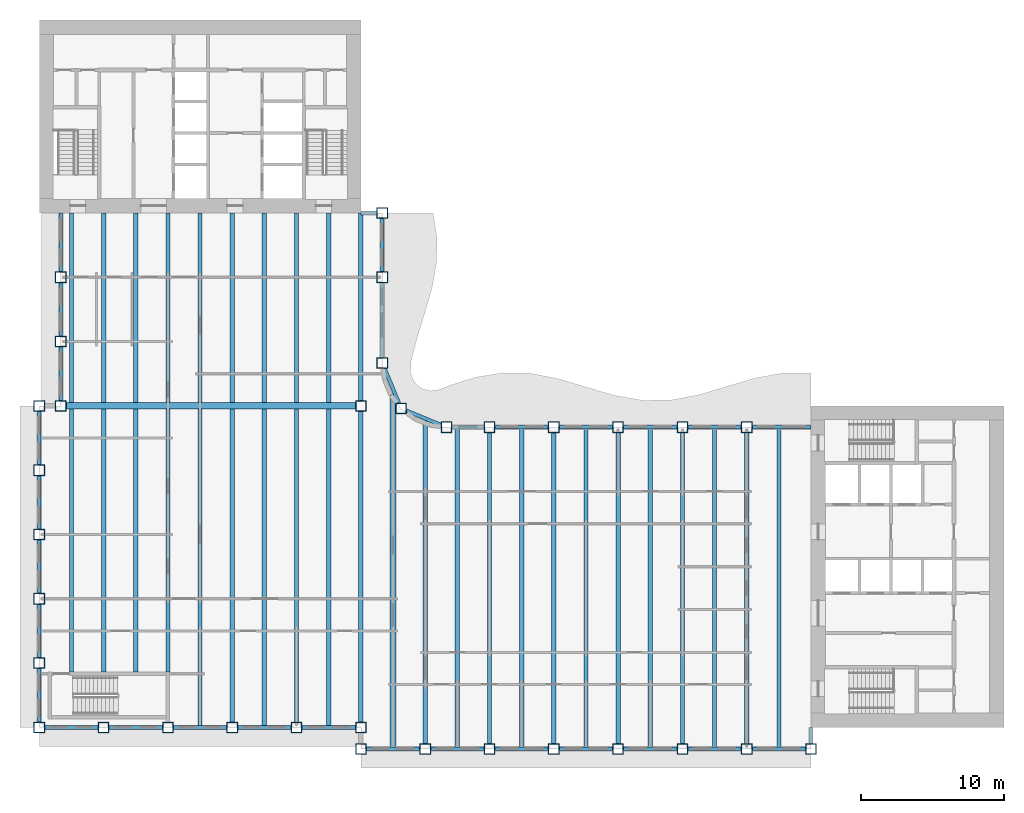
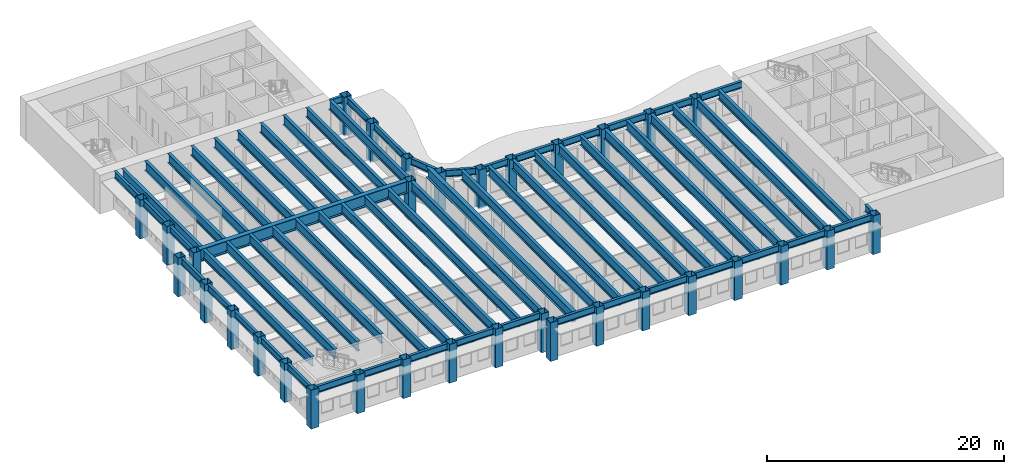
# One storey, part 1 of 16: 66 beams, 33 columns.
"""IFC4 building model written with IfcOpenShell, lengths in metres."""

from ifc_helpers import new_model, si_unit, direction, frame, origin, origin_2d, place, context, subcontext, project, spatial, hollow_rectangle, i_section, extrude, material, material_profile, profile_set, type_object, element, save


model = new_model("IFC4")

# Units and contexts
model_context = context("Model", 3, precision=1e-05, world=origin(), true_north=direction((0.0, 1.0)))
body_context = subcontext(model_context, "Body", "Model", "MODEL_VIEW")
ifc_project = project(units=[si_unit("LENGTHUNIT", "METRE"), si_unit("AREAUNIT", "SQUARE_METRE"), si_unit("VOLUMEUNIT", "CUBIC_METRE"), si_unit("PLANEANGLEUNIT", "RADIAN"), si_unit("MASSUNIT", "GRAM", prefix="KILO")], contexts=[model_context])

# Site, building, storey
site_placement = place(None, origin())
site = spatial("IfcSite", under=ifc_project, at=site_placement, CompositionType="ELEMENT")
building_placement = place(site_placement, origin())
building = spatial("IfcBuilding", under=site, at=building_placement, Name="Sennacour Bend Tower", CompositionType="ELEMENT")
storey_placement = place(building_placement, frame((0.0, 0.0, 223.0)))
storey = spatial("IfcBuildingStorey", under=building, at=storey_placement, Name="L51", CompositionType="ELEMENT", Elevation=223.0)

# Columns
ifc_material_1 = material(Name="Steel ASTM A572 Grade 50", Category="steel")
ifc_material_profile_1 = material_profile(ifc_material_1, hollow_rectangle(XDim=0.75, YDim=0.75, WallThickness=0.035888671875, at=origin_2d()), Name="Steel ASTM A572 Grade 50", Category="steel")
ifc_profile_set_1 = profile_set([ifc_material_profile_1], Name="Steel ASTM A572 Grade 50")
column_type = type_object("IfcColumnType", Name="Box column 750", PredefinedType="COLUMN", material=ifc_profile_set_1)
for number, where, z_axis, x_axis, name in (
    (1, (0.0, 0.0, -0.14990234375), (0.0, 0.0, 1.0), (1.0, 0.0, 0.0), "Perimeter column C4 L51-001"),
    (2, (0.0, 4.5, -0.14990234375), (0.0, 0.0, 1.0), (1.0, 0.0, 0.0), "Perimeter column C4 L51-002"),
    (3, (0.0, 9.0, -0.14990234375), (0.0, 0.0, 1.0), (1.0, 0.0, 0.0), "Perimeter column C4 L51-003"),
    (4, (0.0, 13.5, -0.14990234375), (0.0, 0.0, 1.0), (1.0, 0.0, 0.0), "Perimeter column C4 L51-004"),
    (5, (0.0, 18.0, -0.14990234375), (0.0, 0.0, 1.0), (1.0, 0.0, 0.0), "Perimeter column C4 L51-005"),
    (6, (0.0, 22.5, -0.14990234375), (0.0, 0.0, 1.0), (1.0, 0.0, 0.0), "Perimeter column C4 L51-006"),
    (7, (1.5, 22.5, -0.14990234375), (0.0, 0.0, 1.0), (1.0, 0.0, 0.0), "Perimeter column C4 L51-007"),
    (8, (1.5, 27.0, -0.14990234375), (0.0, 0.0, 1.0), (1.0, 0.0, 0.0), "Perimeter column C4 L51-008"),
    (9, (1.5, 31.5, -0.14990234375), (0.0, 0.0, 1.0), (1.0, 0.0, 0.0), "Perimeter column C4 L51-009"),
    (10, (4.5, 0.0, -0.14990234375), (0.0, 0.0, 1.0), (1.0, 0.0, 0.0), "Perimeter column C4 L51-010"),
    (11, (9.0, 0.0, -0.14990234375), (0.0, 0.0, 1.0), (1.0, 0.0, 0.0), "Perimeter column C4 L51-011"),
    (12, (13.5, 0.0, -0.14990234375), (0.0, 0.0, 1.0), (1.0, 0.0, 0.0), "Perimeter column C4 L51-012"),
    (13, (18.0, 0.0, -0.14990234375), (0.0, 0.0, 1.0), (1.0, 0.0, 0.0), "Perimeter column C4 L51-013"),
    (14, (22.5, -1.5, -0.14990234375), (0.0, 0.0, 1.0), (1.0, 0.0, 0.0), "Perimeter column C4 L51-014"),
    (15, (22.5, 0.0, -0.14990234375), (0.0, 0.0, 1.0), (1.0, 0.0, 0.0), "Perimeter column C4 L51-015"),
    (16, (22.5, 22.5, -0.14990234375), (0.0, 0.0, 1.0), (1.0, 0.0, 0.0), "Knuckle column C4 L51-016"),
    (17, (24.0, 25.5, -0.14990234375), (0.0, 0.0, 1.0), (1.0, 0.0, 0.0), "Perimeter column C4 L51-017"),
    (18, (24.0, 31.5, -0.14990234375), (0.0, 0.0, 1.0), (1.0, 0.0, 0.0), "Perimeter column C4 L51-018"),
    (19, (24.0, 36.0, -0.14990234375), (0.0, 0.0, 1.0), (1.0, 0.0, 0.0), "Perimeter column C4 L51-019"),
    (20, (25.318115234375, 22.318115234375, -0.14990234375), (0.0, 0.0, 1.0), (1.0, 0.0, 0.0), "Perimeter column C4 L51-020"),
    (21, (27.0, -1.5, -0.14990234375), (0.0, 0.0, 1.0), (1.0, 0.0, 0.0), "Perimeter column C4 L51-021"),
    (22, (28.5, 21.0, -0.14990234375), (0.0, 0.0, 1.0), (1.0, 0.0, 0.0), "Perimeter column C4 L51-022"),
    (23, (31.5, -1.5, -0.14990234375), (0.0, 0.0, 1.0), (1.0, 0.0, 0.0), "Perimeter column C4 L51-023"),
    (24, (31.5, 21.0, -0.14990234375), (0.0, 0.0, 1.0), (1.0, 0.0, 0.0), "Perimeter column C4 L51-024"),
    (25, (36.0, -1.5, -0.14990234375), (0.0, 0.0, 1.0), (1.0, 0.0, 0.0), "Perimeter column C4 L51-025"),
    (26, (36.0, 21.0, -0.14990234375), (0.0, 0.0, 1.0), (1.0, 0.0, 0.0), "Perimeter column C4 L51-026"),
    (27, (40.5, -1.5, -0.14990234375), (0.0, 0.0, 1.0), (1.0, 0.0, 0.0), "Perimeter column C4 L51-027"),
    (28, (40.5, 21.0, -0.14990234375), (0.0, 0.0, 1.0), (1.0, 0.0, 0.0), "Perimeter column C4 L51-028"),
    (29, (45.0, -1.5, -0.14990234375), (0.0, 0.0, 1.0), (1.0, 0.0, 0.0), "Perimeter column C4 L51-029"),
    (30, (45.0, 21.0, -0.14990234375), (0.0, 0.0, 1.0), (1.0, 0.0, 0.0), "Perimeter column C4 L51-030"),
    (31, (49.5, -1.5, -0.14990234375), (0.0, 0.0, 1.0), (1.0, 0.0, 0.0), "Perimeter column C4 L51-031"),
    (32, (49.5, 21.0, -0.14990234375), (0.0, 0.0, 1.0), (1.0, 0.0, 0.0), "Perimeter column C4 L51-032"),
    (33, (54.0, -1.5, -0.14990234375), (0.0, 0.0, 1.0), (1.0, 0.0, 0.0), "Perimeter column C4 L51-033"),
):
    element("IfcColumn", number, at=place(storey_placement, frame(where, z_axis=z_axis, x_axis=x_axis)), inside=storey, type_object=column_type, Name=name, PredefinedType="COLUMN", context=body_context, shape_type="SweptSolid", body=[
        extrude(hollow_rectangle(XDim=0.75, YDim=0.75, WallThickness=0.035888671875, at=origin_2d()), origin(), (0.0, 0.0, 1.0), 4.0),
    ])

# Beams
ifc_material_2 = material(Name="Steel ASTM A992 Grade 50", Category="steel")
ifc_material_profile_2 = material_profile(ifc_material_2, i_section(OverallWidth=0.300048828125, OverallDepth=0.97998046875, WebThickness=0.0166015625, FlangeThickness=0.026123046875, FilletRadius=0.02978515625, at=origin_2d()), Name="Steel ASTM A992 Grade 50", Category="steel")
ifc_profile_set_2 = profile_set([ifc_material_profile_2], Name="Steel ASTM A992 Grade 50")
beam_type_1 = type_object("IfcBeamType", Name="Floor beam W1000X249", PredefinedType="BEAM", material=ifc_profile_set_2)
beam_1_placement = place(storey_placement, frame((2.25, 3.875, 3.360107421875), z_axis=(0.0, 1.0, 0.0), x_axis=(-1.0, 0.0, 0.0)))
element("IfcBeam", 34, at=beam_1_placement, inside=storey, type_object=beam_type_1, Name="Floor beam FBM2 L52-001", PredefinedType="BEAM", context=body_context, shape_type="SweptSolid", body=[
    extrude(i_section(OverallWidth=0.300048828125, OverallDepth=0.97998046875, WebThickness=0.0166015625, FlangeThickness=0.026123046875, FilletRadius=0.02978515625, at=origin_2d()), origin(), (0.0, 0.0, 1.0), 18.39990234375),
])
beam_2_placement = place(storey_placement, frame((2.25, 22.72509765625, 3.360107421875), z_axis=(0.0, 1.0, 0.0), x_axis=(-1.0, 0.0, 0.0)))
element("IfcBeam", 35, at=beam_2_placement, inside=storey, type_object=beam_type_1, Name="Floor beam FBM2 L52-002", PredefinedType="BEAM", context=body_context, shape_type="SweptSolid", body=[
    extrude(i_section(OverallWidth=0.300048828125, OverallDepth=0.97998046875, WebThickness=0.0166015625, FlangeThickness=0.026123046875, FilletRadius=0.02978515625, at=origin_2d()), origin(), (0.0, 0.0, 1.0), 13.27490234375),
])
beam_3_placement = place(storey_placement, frame((4.5, 3.875, 3.360107421875), z_axis=(0.0, 1.0, 0.0), x_axis=(-1.0, 0.0, 0.0)))
element("IfcBeam", 36, at=beam_3_placement, inside=storey, type_object=beam_type_1, Name="Floor beam FBM2 L52-003", PredefinedType="BEAM", context=body_context, shape_type="SweptSolid", body=[
    extrude(i_section(OverallWidth=0.300048828125, OverallDepth=0.97998046875, WebThickness=0.0166015625, FlangeThickness=0.026123046875, FilletRadius=0.02978515625, at=origin_2d()), origin(), (0.0, 0.0, 1.0), 18.39990234375),
])
beam_4_placement = place(storey_placement, frame((4.5, 22.72509765625, 3.360107421875), z_axis=(0.0, 1.0, 0.0), x_axis=(-1.0, 0.0, 0.0)))
element("IfcBeam", 37, at=beam_4_placement, inside=storey, type_object=beam_type_1, Name="Floor beam FBM2 L52-004", PredefinedType="BEAM", context=body_context, shape_type="SweptSolid", body=[
    extrude(i_section(OverallWidth=0.300048828125, OverallDepth=0.97998046875, WebThickness=0.0166015625, FlangeThickness=0.026123046875, FilletRadius=0.02978515625, at=origin_2d()), origin(), (0.0, 0.0, 1.0), 13.27490234375),
])
beam_5_placement = place(storey_placement, frame((6.75, 3.875, 3.360107421875), z_axis=(0.0, 1.0, 0.0), x_axis=(-1.0, 0.0, 0.0)))
element("IfcBeam", 38, at=beam_5_placement, inside=storey, type_object=beam_type_1, Name="Floor beam FBM2 L52-005", PredefinedType="BEAM", context=body_context, shape_type="SweptSolid", body=[
    extrude(i_section(OverallWidth=0.300048828125, OverallDepth=0.97998046875, WebThickness=0.0166015625, FlangeThickness=0.026123046875, FilletRadius=0.02978515625, at=origin_2d()), origin(), (0.0, 0.0, 1.0), 18.39990234375),
])
beam_6_placement = place(storey_placement, frame((6.75, 22.72509765625, 3.360107421875), z_axis=(0.0, 1.0, 0.0), x_axis=(-1.0, 0.0, 0.0)))
element("IfcBeam", 39, at=beam_6_placement, inside=storey, type_object=beam_type_1, Name="Floor beam FBM2 L52-006", PredefinedType="BEAM", context=body_context, shape_type="SweptSolid", body=[
    extrude(i_section(OverallWidth=0.300048828125, OverallDepth=0.97998046875, WebThickness=0.0166015625, FlangeThickness=0.026123046875, FilletRadius=0.02978515625, at=origin_2d()), origin(), (0.0, 0.0, 1.0), 13.27490234375),
])
beam_7_placement = place(storey_placement, frame((9.0, 3.875, 3.360107421875), z_axis=(0.0, 1.0, 0.0), x_axis=(-1.0, 0.0, 0.0)))
element("IfcBeam", 40, at=beam_7_placement, inside=storey, type_object=beam_type_1, Name="Floor beam FBM2 L52-007", PredefinedType="BEAM", context=body_context, shape_type="SweptSolid", body=[
    extrude(i_section(OverallWidth=0.300048828125, OverallDepth=0.97998046875, WebThickness=0.0166015625, FlangeThickness=0.026123046875, FilletRadius=0.02978515625, at=origin_2d()), origin(), (0.0, 0.0, 1.0), 18.39990234375),
])
beam_8_placement = place(storey_placement, frame((9.0, 22.72509765625, 3.360107421875), z_axis=(0.0, 1.0, 0.0), x_axis=(-1.0, 0.0, 0.0)))
element("IfcBeam", 41, at=beam_8_placement, inside=storey, type_object=beam_type_1, Name="Floor beam FBM2 L52-008", PredefinedType="BEAM", context=body_context, shape_type="SweptSolid", body=[
    extrude(i_section(OverallWidth=0.300048828125, OverallDepth=0.97998046875, WebThickness=0.0166015625, FlangeThickness=0.026123046875, FilletRadius=0.02978515625, at=origin_2d()), origin(), (0.0, 0.0, 1.0), 13.27490234375),
])
beam_9_placement = place(storey_placement, frame((11.25, 0.12841796875, 3.360107421875), z_axis=(0.0, 1.0, 0.0), x_axis=(-1.0, 0.0, 0.0)))
element("IfcBeam", 42, at=beam_9_placement, inside=storey, type_object=beam_type_1, Name="Floor beam FBM2 L52-009", PredefinedType="BEAM", context=body_context, shape_type="SweptSolid", body=[
    extrude(i_section(OverallWidth=0.300048828125, OverallDepth=0.97998046875, WebThickness=0.0166015625, FlangeThickness=0.026123046875, FilletRadius=0.02978515625, at=origin_2d()), origin(), (0.0, 0.0, 1.0), 22.146484375),
])
beam_10_placement = place(storey_placement, frame((11.25, 22.72509765625, 3.360107421875), z_axis=(0.0, 1.0, 0.0), x_axis=(-1.0, 0.0, 0.0)))
element("IfcBeam", 43, at=beam_10_placement, inside=storey, type_object=beam_type_1, Name="Floor beam FBM2 L52-010", PredefinedType="BEAM", context=body_context, shape_type="SweptSolid", body=[
    extrude(i_section(OverallWidth=0.300048828125, OverallDepth=0.97998046875, WebThickness=0.0166015625, FlangeThickness=0.026123046875, FilletRadius=0.02978515625, at=origin_2d()), origin(), (0.0, 0.0, 1.0), 13.27490234375),
])
beam_11_placement = place(storey_placement, frame((13.5, 0.375, 3.360107421875), z_axis=(0.0, 1.0, 0.0), x_axis=(-1.0, 0.0, 0.0)))
element("IfcBeam", 44, at=beam_11_placement, inside=storey, type_object=beam_type_1, Name="Floor beam FBM2 L52-011", PredefinedType="BEAM", context=body_context, shape_type="SweptSolid", body=[
    extrude(i_section(OverallWidth=0.300048828125, OverallDepth=0.97998046875, WebThickness=0.0166015625, FlangeThickness=0.026123046875, FilletRadius=0.02978515625, at=origin_2d()), origin(), (0.0, 0.0, 1.0), 21.89990234375),
])
beam_12_placement = place(storey_placement, frame((13.5, 22.72509765625, 3.360107421875), z_axis=(0.0, 1.0, 0.0), x_axis=(-1.0, 0.0, 0.0)))
element("IfcBeam", 45, at=beam_12_placement, inside=storey, type_object=beam_type_1, Name="Floor beam FBM2 L52-012", PredefinedType="BEAM", context=body_context, shape_type="SweptSolid", body=[
    extrude(i_section(OverallWidth=0.300048828125, OverallDepth=0.97998046875, WebThickness=0.0166015625, FlangeThickness=0.026123046875, FilletRadius=0.02978515625, at=origin_2d()), origin(), (0.0, 0.0, 1.0), 13.27490234375),
])
beam_13_placement = place(storey_placement, frame((15.75, 0.12841796875, 3.360107421875), z_axis=(0.0, 1.0, 0.0), x_axis=(-1.0, 0.0, 0.0)))
element("IfcBeam", 46, at=beam_13_placement, inside=storey, type_object=beam_type_1, Name="Floor beam FBM2 L52-013", PredefinedType="BEAM", context=body_context, shape_type="SweptSolid", body=[
    extrude(i_section(OverallWidth=0.300048828125, OverallDepth=0.97998046875, WebThickness=0.0166015625, FlangeThickness=0.026123046875, FilletRadius=0.02978515625, at=origin_2d()), origin(), (0.0, 0.0, 1.0), 22.146484375),
])
beam_14_placement = place(storey_placement, frame((15.75, 22.72509765625, 3.360107421875), z_axis=(0.0, 1.0, 0.0), x_axis=(-1.0, 0.0, 0.0)))
element("IfcBeam", 47, at=beam_14_placement, inside=storey, type_object=beam_type_1, Name="Floor beam FBM2 L52-014", PredefinedType="BEAM", context=body_context, shape_type="SweptSolid", body=[
    extrude(i_section(OverallWidth=0.300048828125, OverallDepth=0.97998046875, WebThickness=0.0166015625, FlangeThickness=0.026123046875, FilletRadius=0.02978515625, at=origin_2d()), origin(), (0.0, 0.0, 1.0), 13.27490234375),
])
beam_15_placement = place(storey_placement, frame((18.0, 0.375, 3.360107421875), z_axis=(0.0, 1.0, 0.0), x_axis=(-1.0, 0.0, 0.0)))
element("IfcBeam", 48, at=beam_15_placement, inside=storey, type_object=beam_type_1, Name="Floor beam FBM2 L52-015", PredefinedType="BEAM", context=body_context, shape_type="SweptSolid", body=[
    extrude(i_section(OverallWidth=0.300048828125, OverallDepth=0.97998046875, WebThickness=0.0166015625, FlangeThickness=0.026123046875, FilletRadius=0.02978515625, at=origin_2d()), origin(), (0.0, 0.0, 1.0), 21.89990234375),
])
beam_16_placement = place(storey_placement, frame((18.0, 22.72509765625, 3.360107421875), z_axis=(0.0, 1.0, 0.0), x_axis=(-1.0, 0.0, 0.0)))
element("IfcBeam", 49, at=beam_16_placement, inside=storey, type_object=beam_type_1, Name="Floor beam FBM2 L52-016", PredefinedType="BEAM", context=body_context, shape_type="SweptSolid", body=[
    extrude(i_section(OverallWidth=0.300048828125, OverallDepth=0.97998046875, WebThickness=0.0166015625, FlangeThickness=0.026123046875, FilletRadius=0.02978515625, at=origin_2d()), origin(), (0.0, 0.0, 1.0), 13.27490234375),
])
beam_17_placement = place(storey_placement, frame((20.25, 0.12841796875, 3.360107421875), z_axis=(0.0, 1.0, 0.0), x_axis=(-1.0, 0.0, 0.0)))
element("IfcBeam", 50, at=beam_17_placement, inside=storey, type_object=beam_type_1, Name="Floor beam FBM2 L52-017", PredefinedType="BEAM", context=body_context, shape_type="SweptSolid", body=[
    extrude(i_section(OverallWidth=0.300048828125, OverallDepth=0.97998046875, WebThickness=0.0166015625, FlangeThickness=0.026123046875, FilletRadius=0.02978515625, at=origin_2d()), origin(), (0.0, 0.0, 1.0), 22.146484375),
])
beam_18_placement = place(storey_placement, frame((20.25, 22.72509765625, 3.360107421875), z_axis=(0.0, 1.0, 0.0), x_axis=(-1.0, 0.0, 0.0)))
element("IfcBeam", 51, at=beam_18_placement, inside=storey, type_object=beam_type_1, Name="Floor beam FBM2 L52-018", PredefinedType="BEAM", context=body_context, shape_type="SweptSolid", body=[
    extrude(i_section(OverallWidth=0.300048828125, OverallDepth=0.97998046875, WebThickness=0.0166015625, FlangeThickness=0.026123046875, FilletRadius=0.02978515625, at=origin_2d()), origin(), (0.0, 0.0, 1.0), 13.27490234375),
])
beam_19_placement = place(storey_placement, frame((22.5, 0.375, 3.360107421875), z_axis=(0.0, 1.0, 0.0), x_axis=(-1.0, 0.0, 0.0)))
element("IfcBeam", 52, at=beam_19_placement, inside=storey, type_object=beam_type_1, Name="Floor beam FBM2 L52-019", PredefinedType="BEAM", context=body_context, shape_type="SweptSolid", body=[
    extrude(i_section(OverallWidth=0.300048828125, OverallDepth=0.97998046875, WebThickness=0.0166015625, FlangeThickness=0.026123046875, FilletRadius=0.02978515625, at=origin_2d()), origin(), (0.0, 0.0, 1.0), 21.75),
])
beam_20_placement = place(storey_placement, frame((22.5, 22.875, 3.360107421875), z_axis=(0.0, 1.0, 0.0), x_axis=(-1.0, 0.0, 0.0)))
element("IfcBeam", 53, at=beam_20_placement, inside=storey, type_object=beam_type_1, Name="Floor beam FBM2 L52-020", PredefinedType="BEAM", context=body_context, shape_type="SweptSolid", body=[
    extrude(i_section(OverallWidth=0.300048828125, OverallDepth=0.97998046875, WebThickness=0.0166015625, FlangeThickness=0.026123046875, FilletRadius=0.02978515625, at=origin_2d()), origin(), (0.0, 0.0, 1.0), 13.125),
])
beam_21_placement = place(storey_placement, frame((27.0, -1.125, 3.360107421875), z_axis=(0.0, 1.0, 0.0), x_axis=(-1.0, 0.0, 0.0)))
element("IfcBeam", 54, at=beam_21_placement, inside=storey, type_object=beam_type_1, Name="Floor beam FBM2 L52-022", PredefinedType="BEAM", context=body_context, shape_type="SweptSolid", body=[
    extrude(i_section(OverallWidth=0.300048828125, OverallDepth=0.97998046875, WebThickness=0.0166015625, FlangeThickness=0.026123046875, FilletRadius=0.02978515625, at=origin_2d()), origin(), (0.0, 0.0, 1.0), 22.607177734375),
])
beam_22_placement = place(storey_placement, frame((29.25, -1.37158203125, 3.360107421875), z_axis=(0.0, 1.0, 0.0), x_axis=(-1.0, 0.0, 0.0)))
element("IfcBeam", 55, at=beam_22_placement, inside=storey, type_object=beam_type_1, Name="Floor beam FBM2 L52-023", PredefinedType="BEAM", context=body_context, shape_type="SweptSolid", body=[
    extrude(i_section(OverallWidth=0.300048828125, OverallDepth=0.97998046875, WebThickness=0.0166015625, FlangeThickness=0.026123046875, FilletRadius=0.02978515625, at=origin_2d()), origin(), (0.0, 0.0, 1.0), 22.2431640625),
])
beam_23_placement = place(storey_placement, frame((31.5, -1.125, 3.360107421875), z_axis=(0.0, 1.0, 0.0), x_axis=(-1.0, 0.0, 0.0)))
element("IfcBeam", 56, at=beam_23_placement, inside=storey, type_object=beam_type_1, Name="Floor beam FBM2 L52-024", PredefinedType="BEAM", context=body_context, shape_type="SweptSolid", body=[
    extrude(i_section(OverallWidth=0.300048828125, OverallDepth=0.97998046875, WebThickness=0.0166015625, FlangeThickness=0.026123046875, FilletRadius=0.02978515625, at=origin_2d()), origin(), (0.0, 0.0, 1.0), 21.75),
])
beam_24_placement = place(storey_placement, frame((33.75, -1.37158203125, 3.360107421875), z_axis=(0.0, 1.0, 0.0), x_axis=(-1.0, 0.0, 0.0)))
element("IfcBeam", 57, at=beam_24_placement, inside=storey, type_object=beam_type_1, Name="Floor beam FBM2 L52-025", PredefinedType="BEAM", context=body_context, shape_type="SweptSolid", body=[
    extrude(i_section(OverallWidth=0.300048828125, OverallDepth=0.97998046875, WebThickness=0.0166015625, FlangeThickness=0.026123046875, FilletRadius=0.02978515625, at=origin_2d()), origin(), (0.0, 0.0, 1.0), 22.2431640625),
])
beam_25_placement = place(storey_placement, frame((36.0, -1.125, 3.360107421875), z_axis=(0.0, 1.0, 0.0), x_axis=(-1.0, 0.0, 0.0)))
element("IfcBeam", 58, at=beam_25_placement, inside=storey, type_object=beam_type_1, Name="Floor beam FBM2 L52-026", PredefinedType="BEAM", context=body_context, shape_type="SweptSolid", body=[
    extrude(i_section(OverallWidth=0.300048828125, OverallDepth=0.97998046875, WebThickness=0.0166015625, FlangeThickness=0.026123046875, FilletRadius=0.02978515625, at=origin_2d()), origin(), (0.0, 0.0, 1.0), 21.75),
])
beam_26_placement = place(storey_placement, frame((38.25, -1.37158203125, 3.360107421875), z_axis=(0.0, 1.0, 0.0), x_axis=(-1.0, 0.0, 0.0)))
element("IfcBeam", 59, at=beam_26_placement, inside=storey, type_object=beam_type_1, Name="Floor beam FBM2 L52-027", PredefinedType="BEAM", context=body_context, shape_type="SweptSolid", body=[
    extrude(i_section(OverallWidth=0.300048828125, OverallDepth=0.97998046875, WebThickness=0.0166015625, FlangeThickness=0.026123046875, FilletRadius=0.02978515625, at=origin_2d()), origin(), (0.0, 0.0, 1.0), 22.2431640625),
])
beam_27_placement = place(storey_placement, frame((40.5, -1.125, 3.360107421875), z_axis=(0.0, 1.0, 0.0), x_axis=(-1.0, 0.0, 0.0)))
element("IfcBeam", 60, at=beam_27_placement, inside=storey, type_object=beam_type_1, Name="Floor beam FBM2 L52-028", PredefinedType="BEAM", context=body_context, shape_type="SweptSolid", body=[
    extrude(i_section(OverallWidth=0.300048828125, OverallDepth=0.97998046875, WebThickness=0.0166015625, FlangeThickness=0.026123046875, FilletRadius=0.02978515625, at=origin_2d()), origin(), (0.0, 0.0, 1.0), 21.75),
])
beam_28_placement = place(storey_placement, frame((42.75, -1.37158203125, 3.360107421875), z_axis=(0.0, 1.0, 0.0), x_axis=(-1.0, 0.0, 0.0)))
element("IfcBeam", 61, at=beam_28_placement, inside=storey, type_object=beam_type_1, Name="Floor beam FBM2 L52-029", PredefinedType="BEAM", context=body_context, shape_type="SweptSolid", body=[
    extrude(i_section(OverallWidth=0.300048828125, OverallDepth=0.97998046875, WebThickness=0.0166015625, FlangeThickness=0.026123046875, FilletRadius=0.02978515625, at=origin_2d()), origin(), (0.0, 0.0, 1.0), 22.2431640625),
])
beam_29_placement = place(storey_placement, frame((45.0, -1.125, 3.360107421875), z_axis=(0.0, 1.0, 0.0), x_axis=(-1.0, 0.0, 0.0)))
element("IfcBeam", 62, at=beam_29_placement, inside=storey, type_object=beam_type_1, Name="Floor beam FBM2 L52-030", PredefinedType="BEAM", context=body_context, shape_type="SweptSolid", body=[
    extrude(i_section(OverallWidth=0.300048828125, OverallDepth=0.97998046875, WebThickness=0.0166015625, FlangeThickness=0.026123046875, FilletRadius=0.02978515625, at=origin_2d()), origin(), (0.0, 0.0, 1.0), 21.75),
])
beam_30_placement = place(storey_placement, frame((47.25, -1.37158203125, 3.360107421875), z_axis=(0.0, 1.0, 0.0), x_axis=(-1.0, 0.0, 0.0)))
element("IfcBeam", 63, at=beam_30_placement, inside=storey, type_object=beam_type_1, Name="Floor beam FBM2 L52-031", PredefinedType="BEAM", context=body_context, shape_type="SweptSolid", body=[
    extrude(i_section(OverallWidth=0.300048828125, OverallDepth=0.97998046875, WebThickness=0.0166015625, FlangeThickness=0.026123046875, FilletRadius=0.02978515625, at=origin_2d()), origin(), (0.0, 0.0, 1.0), 22.2431640625),
])
beam_31_placement = place(storey_placement, frame((49.5, -1.125, 3.360107421875), z_axis=(0.0, 1.0, 0.0), x_axis=(-1.0, 0.0, 0.0)))
element("IfcBeam", 64, at=beam_31_placement, inside=storey, type_object=beam_type_1, Name="Floor beam FBM2 L52-032", PredefinedType="BEAM", context=body_context, shape_type="SweptSolid", body=[
    extrude(i_section(OverallWidth=0.300048828125, OverallDepth=0.97998046875, WebThickness=0.0166015625, FlangeThickness=0.026123046875, FilletRadius=0.02978515625, at=origin_2d()), origin(), (0.0, 0.0, 1.0), 21.75),
])
beam_32_placement = place(storey_placement, frame((51.75, -1.37158203125, 3.360107421875), z_axis=(0.0, 1.0, 0.0), x_axis=(-1.0, 0.0, 0.0)))
element("IfcBeam", 65, at=beam_32_placement, inside=storey, type_object=beam_type_1, Name="Floor beam FBM2 L52-033", PredefinedType="BEAM", context=body_context, shape_type="SweptSolid", body=[
    extrude(i_section(OverallWidth=0.300048828125, OverallDepth=0.97998046875, WebThickness=0.0166015625, FlangeThickness=0.026123046875, FilletRadius=0.02978515625, at=origin_2d()), origin(), (0.0, 0.0, 1.0), 22.2431640625),
])
ifc_material_profile_3 = material_profile(ifc_material_1, i_section(OverallWidth=0.449951171875, OverallDepth=1.25, WebThickness=0.028076171875, FlangeThickness=0.050048828125, at=origin_2d()), Name="Steel ASTM A572 Grade 50", Category="steel")
ifc_profile_set_3 = profile_set([ifc_material_profile_3], Name="Steel ASTM A572 Grade 50")
beam_type_2 = type_object("IfcBeamType", Name="Knuckle girder 1250", PredefinedType="USERDEFINED", material=ifc_profile_set_3)
beam_33_placement = place(storey_placement, frame((1.875, 22.5, 3.22509765625), z_axis=(1.0, 0.0, 0.0), x_axis=(0.0, 1.0, 0.0)))
element("IfcBeam", 66, at=beam_33_placement, inside=storey, type_object=beam_type_2, Name="Knuckle girder GK L52-001", ObjectType="KNUCKLE GIRDER", PredefinedType="USERDEFINED", context=body_context, shape_type="SweptSolid", body=[
    extrude(i_section(OverallWidth=0.449951171875, OverallDepth=1.25, WebThickness=0.028076171875, FlangeThickness=0.050048828125, at=origin_2d()), origin(), (0.0, 0.0, 1.0), 20.25),
])
ifc_material_profile_4 = material_profile(ifc_material_2, i_section(OverallWidth=0.40087890625, OverallDepth=1.090087890625, WebThickness=0.01806640625, FlangeThickness=0.031005859375, FilletRadius=0.02001953125, at=origin_2d()), Name="Steel ASTM A992 Grade 50", Category="steel")
ifc_profile_set_4 = profile_set([ifc_material_profile_4], Name="Steel ASTM A992 Grade 50")
beam_type_3 = type_object("IfcBeamType", Name="Notch floor beam W1100X343", PredefinedType="BEAM", material=ifc_profile_set_4)
beam_34_placement = place(storey_placement, frame((24.75, -1.37158203125, 3.304931640625), z_axis=(0.0, 1.0, 0.0), x_axis=(-1.0, 0.0, 0.0)))
element("IfcBeam", 67, at=beam_34_placement, inside=storey, type_object=beam_type_3, Name="Floor beam FBM4 L52-021", PredefinedType="BEAM", context=body_context, shape_type="SweptSolid", body=[
    extrude(i_section(OverallWidth=0.40087890625, OverallDepth=1.090087890625, WebThickness=0.01806640625, FlangeThickness=0.031005859375, FilletRadius=0.02001953125, at=origin_2d()), origin(), (0.0, 0.0, 1.0), 24.72509765625),
])
ifc_material_profile_5 = material_profile(ifc_material_2, i_section(OverallWidth=0.257080078125, OverallDepth=0.693115234375, WebThickness=0.014404296875, FlangeThickness=0.023681640625, FilletRadius=0.015380859375, at=origin_2d()), Name="Steel ASTM A992 Grade 50", Category="steel")
ifc_profile_set_5 = profile_set([ifc_material_profile_5], Name="Steel ASTM A992 Grade 50")
beam_type_4 = type_object("IfcBeamType", Name="Spandrel beam W690X170", PredefinedType="SPANDREL", material=ifc_profile_set_5)
for number, where, z_axis, x_axis, name in (
    (68, (22.125, 0.0, 3.50341796875), (-1.0, 0.0, 0.0), (0.0, -1.0, 0.0), "Spandrel beam SP5 L52-001"),
    (69, (17.625, 0.0, 3.50341796875), (-1.0, 0.0, 0.0), (0.0, -1.0, 0.0), "Spandrel beam SP5 L52-002"),
    (70, (13.125, 0.0, 3.50341796875), (-1.0, 0.0, 0.0), (0.0, -1.0, 0.0), "Spandrel beam SP5 L52-003"),
    (71, (8.625, 0.0, 3.50341796875), (-1.0, 0.0, 0.0), (0.0, -1.0, 0.0), "Spandrel beam SP5 L52-004"),
    (72, (4.125, 0.0, 3.50341796875), (-1.0, 0.0, 0.0), (0.0, -1.0, 0.0), "Spandrel beam SP5 L52-005"),
    (73, (0.0, 0.375, 3.50341796875), (0.0, 1.0, 0.0), (-1.0, 0.0, 0.0), "Spandrel beam SP5 L52-006"),
    (74, (0.0, 4.875, 3.50341796875), (0.0, 1.0, 0.0), (-1.0, 0.0, 0.0), "Spandrel beam SP5 L52-007"),
    (75, (0.0, 9.375, 3.50341796875), (0.0, 1.0, 0.0), (-1.0, 0.0, 0.0), "Spandrel beam SP5 L52-008"),
    (76, (0.0, 13.875, 3.50341796875), (0.0, 1.0, 0.0), (-1.0, 0.0, 0.0), "Spandrel beam SP5 L52-009"),
    (77, (0.0, 18.375, 3.50341796875), (0.0, 1.0, 0.0), (-1.0, 0.0, 0.0), "Spandrel beam SP5 L52-010"),
    (78, (1.5, 22.875, 3.50341796875), (0.0, 1.0, 0.0), (-1.0, 0.0, 0.0), "Spandrel beam SP5 L52-011"),
    (79, (1.5, 27.375, 3.50341796875), (0.0, 1.0, 0.0), (-1.0, 0.0, 0.0), "Spandrel beam SP5 L52-012"),
):
    element("IfcBeam", number, at=place(storey_placement, frame(where, z_axis=z_axis, x_axis=x_axis)), inside=storey, type_object=beam_type_4, Name=name, PredefinedType="SPANDREL", context=body_context, shape_type="SweptSolid", body=[
        extrude(i_section(OverallWidth=0.257080078125, OverallDepth=0.693115234375, WebThickness=0.014404296875, FlangeThickness=0.023681640625, FilletRadius=0.015380859375, at=origin_2d()), origin(), (0.0, 0.0, 1.0), 3.75),
    ])
beam_35_placement = place(storey_placement, frame((1.5, 31.875, 3.50341796875), z_axis=(0.0, 1.0, 0.0), x_axis=(-1.0, 0.0, 0.0)))
element("IfcBeam", 80, at=beam_35_placement, inside=storey, type_object=beam_type_4, Name="Spandrel beam SP5 L52-013", PredefinedType="SPANDREL", context=body_context, shape_type="SweptSolid", body=[
    extrude(i_section(OverallWidth=0.257080078125, OverallDepth=0.693115234375, WebThickness=0.014404296875, FlangeThickness=0.023681640625, FilletRadius=0.015380859375, at=origin_2d()), origin(), (0.0, 0.0, 1.0), 4.125),
])
beam_36_placement = place(storey_placement, frame((22.5, 36.0, 3.50341796875), z_axis=(1.0, 0.0, 0.0), x_axis=(0.0, 1.0, 0.0)))
element("IfcBeam", 81, at=beam_36_placement, inside=storey, type_object=beam_type_4, Name="Spandrel beam SP5 L52-014", PredefinedType="SPANDREL", context=body_context, shape_type="SweptSolid", body=[
    extrude(i_section(OverallWidth=0.257080078125, OverallDepth=0.693115234375, WebThickness=0.014404296875, FlangeThickness=0.023681640625, FilletRadius=0.015380859375, at=origin_2d()), origin(), (0.0, 0.0, 1.0), 1.125),
])
beam_37_placement = place(storey_placement, frame((24.0, 35.625, 3.50341796875), z_axis=(0.0, -1.0, 0.0), x_axis=(1.0, 0.0, 0.0)))
element("IfcBeam", 82, at=beam_37_placement, inside=storey, type_object=beam_type_4, Name="Spandrel beam SP5 L52-015", PredefinedType="SPANDREL", context=body_context, shape_type="SweptSolid", body=[
    extrude(i_section(OverallWidth=0.257080078125, OverallDepth=0.693115234375, WebThickness=0.014404296875, FlangeThickness=0.023681640625, FilletRadius=0.015380859375, at=origin_2d()), origin(), (0.0, 0.0, 1.0), 3.75),
])
beam_38_placement = place(storey_placement, frame((24.0, 31.125, 3.50341796875), z_axis=(0.0, -1.0, 0.0), x_axis=(1.0, 0.0, 0.0)))
element("IfcBeam", 83, at=beam_38_placement, inside=storey, type_object=beam_type_4, Name="Spandrel beam SP5 L52-016", PredefinedType="SPANDREL", context=body_context, shape_type="SweptSolid", body=[
    extrude(i_section(OverallWidth=0.257080078125, OverallDepth=0.693115234375, WebThickness=0.014404296875, FlangeThickness=0.023681640625, FilletRadius=0.015380859375, at=origin_2d()), origin(), (0.0, 0.0, 1.0), 5.25),
])
for number, where, z_axis, x_axis, name in (
    (84, (24.1552734375, 25.125, 3.50341796875), (0.382684913195, -0.92387891913, 0.0), (0.92387891913, 0.382684913195, 0.0), "Spandrel beam SP5 L52-017"),
    (85, (25.693115234375, 22.16259765625, 3.50341796875), (0.92387891913, -0.382684913195, 0.0), (0.382684913195, 0.92387891913, 0.0), "Spandrel beam SP5 L52-018"),
):
    element("IfcBeam", number, at=place(storey_placement, frame(where, z_axis=z_axis, x_axis=x_axis)), inside=storey, type_object=beam_type_4, Name=name, PredefinedType="SPANDREL", context=body_context, shape_type="SweptSolid", body=[
        extrude(i_section(OverallWidth=0.257080078125, OverallDepth=0.693115234375, WebThickness=0.014404296875, FlangeThickness=0.023681640625, FilletRadius=0.015380859375, at=origin_2d()), origin(), (0.0, 0.0, 1.0), 2.63232421875),
    ])
beam_39_placement = place(storey_placement, frame((28.875, 21.0, 3.50341796875), z_axis=(1.0, 0.0, 0.0), x_axis=(0.0, 1.0, 0.0)))
element("IfcBeam", 86, at=beam_39_placement, inside=storey, type_object=beam_type_4, Name="Spandrel beam SP5 L52-019", PredefinedType="SPANDREL", context=body_context, shape_type="SweptSolid", body=[
    extrude(i_section(OverallWidth=0.257080078125, OverallDepth=0.693115234375, WebThickness=0.014404296875, FlangeThickness=0.023681640625, FilletRadius=0.015380859375, at=origin_2d()), origin(), (0.0, 0.0, 1.0), 2.25),
])
for number, where, z_axis, x_axis, name in (
    (87, (31.875, 21.0, 3.50341796875), (1.0, 0.0, 0.0), (0.0, 1.0, 0.0), "Spandrel beam SP5 L52-020"),
    (88, (36.375, 21.0, 3.50341796875), (1.0, 0.0, 0.0), (0.0, 1.0, 0.0), "Spandrel beam SP5 L52-021"),
    (89, (40.875, 21.0, 3.50341796875), (1.0, 0.0, 0.0), (0.0, 1.0, 0.0), "Spandrel beam SP5 L52-022"),
    (90, (45.375, 21.0, 3.50341796875), (1.0, 0.0, 0.0), (0.0, 1.0, 0.0), "Spandrel beam SP5 L52-023"),
):
    element("IfcBeam", number, at=place(storey_placement, frame(where, z_axis=z_axis, x_axis=x_axis)), inside=storey, type_object=beam_type_4, Name=name, PredefinedType="SPANDREL", context=body_context, shape_type="SweptSolid", body=[
        extrude(i_section(OverallWidth=0.257080078125, OverallDepth=0.693115234375, WebThickness=0.014404296875, FlangeThickness=0.023681640625, FilletRadius=0.015380859375, at=origin_2d()), origin(), (0.0, 0.0, 1.0), 3.75),
    ])
beam_40_placement = place(storey_placement, frame((49.875, 21.0, 3.50341796875), z_axis=(1.0, 0.0, 0.0), x_axis=(0.0, 1.0, 0.0)))
element("IfcBeam", 91, at=beam_40_placement, inside=storey, type_object=beam_type_4, Name="Spandrel beam SP5 L52-024", PredefinedType="SPANDREL", context=body_context, shape_type="SweptSolid", body=[
    extrude(i_section(OverallWidth=0.257080078125, OverallDepth=0.693115234375, WebThickness=0.014404296875, FlangeThickness=0.023681640625, FilletRadius=0.015380859375, at=origin_2d()), origin(), (0.0, 0.0, 1.0), 4.125),
])
beam_41_placement = place(storey_placement, frame((54.0, 0.0, 3.50341796875), z_axis=(0.0, -1.0, 0.0), x_axis=(1.0, 0.0, 0.0)))
element("IfcBeam", 92, at=beam_41_placement, inside=storey, type_object=beam_type_4, Name="Spandrel beam SP5 L52-025", PredefinedType="SPANDREL", context=body_context, shape_type="SweptSolid", body=[
    extrude(i_section(OverallWidth=0.257080078125, OverallDepth=0.693115234375, WebThickness=0.014404296875, FlangeThickness=0.023681640625, FilletRadius=0.015380859375, at=origin_2d()), origin(), (0.0, 0.0, 1.0), 1.125),
])
for number, where, z_axis, x_axis, name in (
    (93, (53.625, -1.5, 3.50341796875), (-1.0, 0.0, 0.0), (0.0, -1.0, 0.0), "Spandrel beam SP5 L52-026"),
    (94, (49.125, -1.5, 3.50341796875), (-1.0, 0.0, 0.0), (0.0, -1.0, 0.0), "Spandrel beam SP5 L52-027"),
    (95, (44.625, -1.5, 3.50341796875), (-1.0, 0.0, 0.0), (0.0, -1.0, 0.0), "Spandrel beam SP5 L52-028"),
    (96, (40.125, -1.5, 3.50341796875), (-1.0, 0.0, 0.0), (0.0, -1.0, 0.0), "Spandrel beam SP5 L52-029"),
    (97, (35.625, -1.5, 3.50341796875), (-1.0, 0.0, 0.0), (0.0, -1.0, 0.0), "Spandrel beam SP5 L52-030"),
    (98, (31.125, -1.5, 3.50341796875), (-1.0, 0.0, 0.0), (0.0, -1.0, 0.0), "Spandrel beam SP5 L52-031"),
    (99, (26.625, -1.5, 3.50341796875), (-1.0, 0.0, 0.0), (0.0, -1.0, 0.0), "Spandrel beam SP5 L52-032"),
):
    element("IfcBeam", number, at=place(storey_placement, frame(where, z_axis=z_axis, x_axis=x_axis)), inside=storey, type_object=beam_type_4, Name=name, PredefinedType="SPANDREL", context=body_context, shape_type="SweptSolid", body=[
        extrude(i_section(OverallWidth=0.257080078125, OverallDepth=0.693115234375, WebThickness=0.014404296875, FlangeThickness=0.023681640625, FilletRadius=0.015380859375, at=origin_2d()), origin(), (0.0, 0.0, 1.0), 3.75),
    ])

save(model, "model.ifc")
